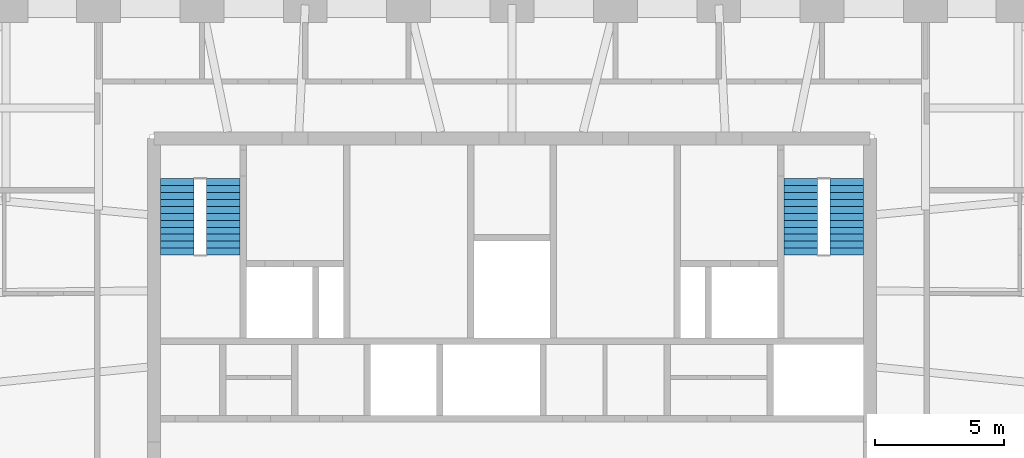
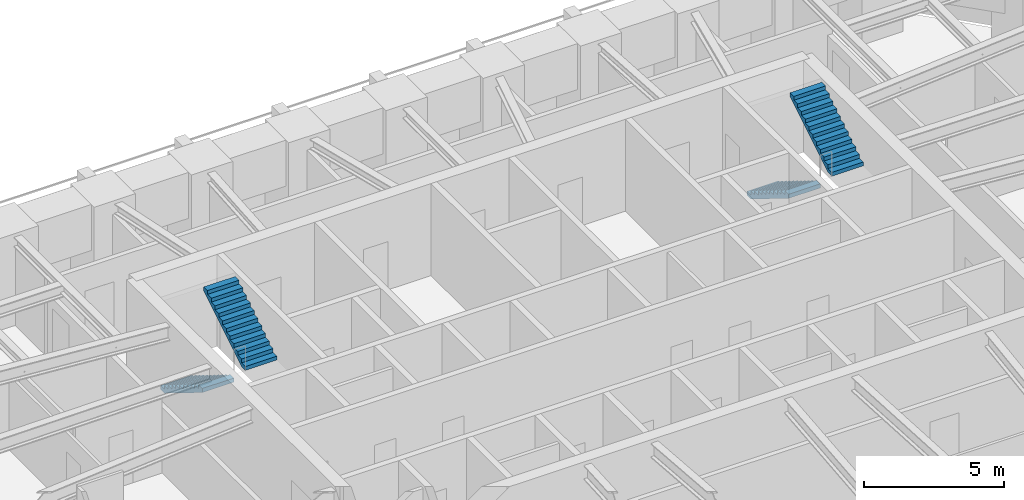
# One storey, part 9 of 11: 4 stair flights, 2 elements without a shape of their own.
"""IFC4 building model written with IfcOpenShell, lengths in metres."""

from ifc_helpers import new_model, si_unit, direction, frame, origin, place, context, subcontext, project, spatial, polyline, outline, extrude, material, type_object, element, aggregate, save


model = new_model("IFC4")

# Units and contexts
model_context = context("Model", 3, precision=1e-05, world=origin(), true_north=direction((0.0, 1.0)))
body_context = subcontext(model_context, "Body", "Model", "MODEL_VIEW")
ifc_project = project(units=[si_unit("LENGTHUNIT", "METRE"), si_unit("AREAUNIT", "SQUARE_METRE"), si_unit("VOLUMEUNIT", "CUBIC_METRE"), si_unit("PLANEANGLEUNIT", "RADIAN"), si_unit("MASSUNIT", "GRAM", prefix="KILO")], contexts=[model_context])

# Site, building, storey
site_placement = place(None, origin())
site = spatial("IfcSite", under=ifc_project, at=site_placement, CompositionType="ELEMENT")
building_placement = place(site_placement, origin())
building = spatial("IfcBuilding", under=site, at=building_placement, Name="Isbrekke Arena Tower", CompositionType="ELEMENT")
storey_placement = place(building_placement, frame((0.0, 0.0, 264.0)))
storey = spatial("IfcBuildingStorey", under=building, at=storey_placement, Name="L61", CompositionType="ELEMENT", Elevation=264.0)

# Stair, stair flights
ifc_material_1 = material(Name="Concrete B45 (C45/55) precast", Category="concrete")
stair_type = type_object("IfcStairType", Name="ST40 STAIR 1300 WIDE, 24 RISERS 167", PredefinedType="HALF_TURN_STAIR", material=ifc_material_1)
stair_1_placement = place(storey_placement, origin())
stair_1 = element("IfcStair", 1, at=stair_1_placement, inside=storey, type_object=stair_type, Name="ST1 stair L61", PredefinedType="HALF_TURN_STAIR")
ifc_material_2 = material(Name="Concrete B45 (C45/55) precast", Category="concrete")
stair_flight_type = type_object("IfcStairFlightType", Name="SF 1300 FLIGHT", PredefinedType="STRAIGHT", material=ifc_material_2)
stair_flight_1_placement = place(storey_placement, frame((-12.949951171875, 22.300048828125, 0.0), z_axis=(0.0, 0.0, 1.0), x_axis=(0.0, -1.0, 0.0)))
stair_flight_1 = element("IfcStairFlight", 2, at=stair_flight_1_placement, type_object=stair_flight_type, Name="ST1 flight 1", NumberOfRisers=12, NumberOfTreads=11, PredefinedType="STRAIGHT", RiserHeight=0.166666667, TreadLength=0.27, context=body_context, shape_type="SweptSolid", body=[
    extrude(outline(polyline([(0.0, 0.0), (0.0, 0.166748046875), (0.27001953125, 0.166748046875), (0.27001953125, 0.333251953125), (0.5400390625, 0.333251953125), (0.5400390625, 0.5), (0.81005859375, 0.5), (0.81005859375, 0.666748046875), (1.080078125, 0.666748046875), (1.080078125, 0.833251953125), (1.35009765625, 0.833251953125), (1.35009765625, 1.0), (1.6201171875, 1.0), (1.6201171875, 1.166748046875), (1.889892578125, 1.166748046875), (1.889892578125, 1.333251953125), (2.159912109375, 1.333251953125), (2.159912109375, 1.5), (2.429931640625, 1.5), (2.429931640625, 1.666748046875), (2.699951171875, 1.666748046875), (2.699951171875, 1.833251953125), (2.969970703125, 1.833251953125), (2.969970703125, 2.0), (2.969970703125, 1.6572265625), (0.285400390625, 0.0), (0.0, 0.0)])), frame((0.0, 0.64990234375, 0.0), z_axis=(0.0, -1.0, 0.0), x_axis=(1.0, 0.0, 0.0)), (0.0, 0.0, 1.0), 1.300048828125),
])
stair_flight_2_placement = place(storey_placement, frame((-11.175048828125, 19.330078125, 2.0), z_axis=(0.0, 0.0, 1.0), x_axis=(0.0, 1.0, 0.0)))
stair_flight_2 = element("IfcStairFlight", 3, at=stair_flight_2_placement, type_object=stair_flight_type, Name="ST1 flight 2", NumberOfRisers=12, NumberOfTreads=11, PredefinedType="STRAIGHT", RiserHeight=0.166666667, TreadLength=0.27, context=body_context, shape_type="SweptSolid", body=[
    extrude(outline(polyline([(0.0, 0.0), (0.0, 0.166748046875), (0.27001953125, 0.166748046875), (0.27001953125, 0.333251953125), (0.5400390625, 0.333251953125), (0.5400390625, 0.5), (0.81005859375, 0.5), (0.81005859375, 0.666748046875), (1.080078125, 0.666748046875), (1.080078125, 0.833251953125), (1.35009765625, 0.833251953125), (1.35009765625, 1.0), (1.6201171875, 1.0), (1.6201171875, 1.166748046875), (1.889892578125, 1.166748046875), (1.889892578125, 1.333251953125), (2.159912109375, 1.333251953125), (2.159912109375, 1.5), (2.429931640625, 1.5), (2.429931640625, 1.666748046875), (2.699951171875, 1.666748046875), (2.699951171875, 1.833251953125), (2.969970703125, 1.833251953125), (2.969970703125, 2.0), (2.969970703125, 1.6572265625), (0.285400390625, 0.0), (0.0, 0.0)])), frame((0.0, 0.64990234375, 0.0), z_axis=(0.0, -1.0, 0.0), x_axis=(1.0, 0.0, 0.0)), (0.0, 0.0, 1.0), 1.300048828125),
])
aggregate(stair_1, [stair_flight_1, stair_flight_2])

stair_2_placement = place(storey_placement, origin())
stair_2 = element("IfcStair", 4, at=stair_2_placement, inside=storey, type_object=stair_type, Name="ST2 stair L61", PredefinedType="HALF_TURN_STAIR")
stair_flight_3_placement = place(storey_placement, frame((11.175048828125, 22.300048828125, 0.0), z_axis=(0.0, 0.0, 1.0), x_axis=(0.0, -1.0, 0.0)))
stair_flight_3 = element("IfcStairFlight", 5, at=stair_flight_3_placement, type_object=stair_flight_type, Name="ST2 flight 1", NumberOfRisers=12, NumberOfTreads=11, PredefinedType="STRAIGHT", RiserHeight=0.166666667, TreadLength=0.27, context=body_context, shape_type="SweptSolid", body=[
    extrude(outline(polyline([(0.0, 0.0), (0.0, 0.166748046875), (0.27001953125, 0.166748046875), (0.27001953125, 0.333251953125), (0.5400390625, 0.333251953125), (0.5400390625, 0.5), (0.81005859375, 0.5), (0.81005859375, 0.666748046875), (1.080078125, 0.666748046875), (1.080078125, 0.833251953125), (1.35009765625, 0.833251953125), (1.35009765625, 1.0), (1.6201171875, 1.0), (1.6201171875, 1.166748046875), (1.889892578125, 1.166748046875), (1.889892578125, 1.333251953125), (2.159912109375, 1.333251953125), (2.159912109375, 1.5), (2.429931640625, 1.5), (2.429931640625, 1.666748046875), (2.699951171875, 1.666748046875), (2.699951171875, 1.833251953125), (2.969970703125, 1.833251953125), (2.969970703125, 2.0), (2.969970703125, 1.6572265625), (0.285400390625, 0.0), (0.0, 0.0)])), frame((0.0, 0.64990234375, 0.0), z_axis=(0.0, -1.0, 0.0), x_axis=(1.0, 0.0, 0.0)), (0.0, 0.0, 1.0), 1.300048828125),
])
stair_flight_4_placement = place(storey_placement, frame((12.949951171875, 19.330078125, 2.0), z_axis=(0.0, 0.0, 1.0), x_axis=(0.0, 1.0, 0.0)))
stair_flight_4 = element("IfcStairFlight", 6, at=stair_flight_4_placement, type_object=stair_flight_type, Name="ST2 flight 2", NumberOfRisers=12, NumberOfTreads=11, PredefinedType="STRAIGHT", RiserHeight=0.166666667, TreadLength=0.27, context=body_context, shape_type="SweptSolid", body=[
    extrude(outline(polyline([(0.0, 0.0), (0.0, 0.166748046875), (0.27001953125, 0.166748046875), (0.27001953125, 0.333251953125), (0.5400390625, 0.333251953125), (0.5400390625, 0.5), (0.81005859375, 0.5), (0.81005859375, 0.666748046875), (1.080078125, 0.666748046875), (1.080078125, 0.833251953125), (1.35009765625, 0.833251953125), (1.35009765625, 1.0), (1.6201171875, 1.0), (1.6201171875, 1.166748046875), (1.889892578125, 1.166748046875), (1.889892578125, 1.333251953125), (2.159912109375, 1.333251953125), (2.159912109375, 1.5), (2.429931640625, 1.5), (2.429931640625, 1.666748046875), (2.699951171875, 1.666748046875), (2.699951171875, 1.833251953125), (2.969970703125, 1.833251953125), (2.969970703125, 2.0), (2.969970703125, 1.6572265625), (0.285400390625, 0.0), (0.0, 0.0)])), frame((0.0, 0.64990234375, 0.0), z_axis=(0.0, -1.0, 0.0), x_axis=(1.0, 0.0, 0.0)), (0.0, 0.0, 1.0), 1.300048828125),
])
aggregate(stair_2, [stair_flight_3, stair_flight_4])

save(model, "model.ifc")
